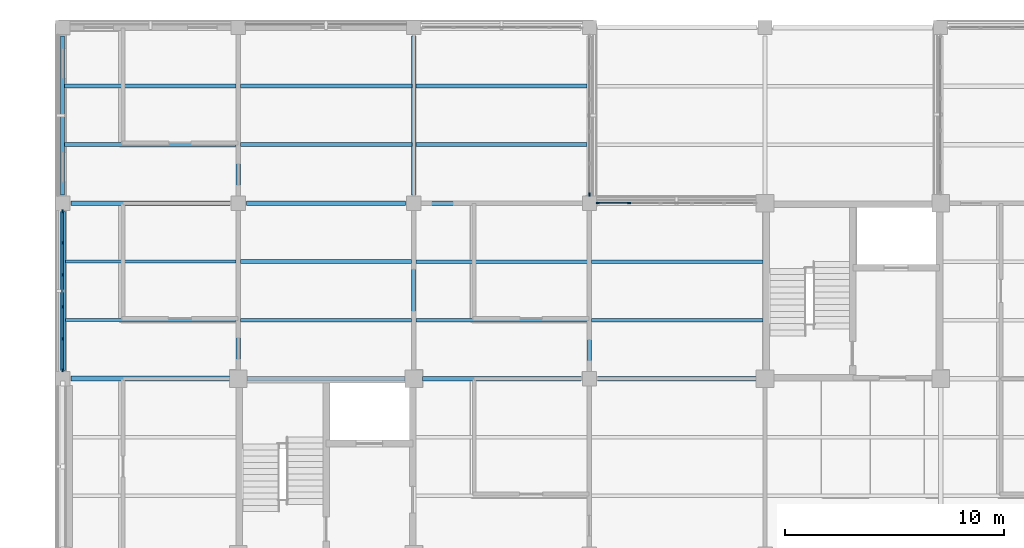
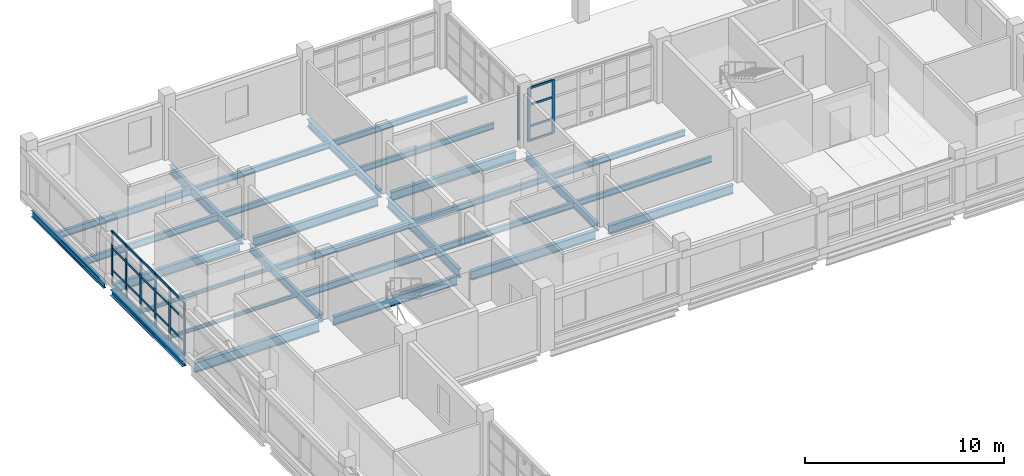
# One storey, part 35 of 126: 33 members, 28 beams, 3 elements without a shape of their own.
"""IFC4 building model written with IfcOpenShell, lengths in metres."""

from ifc_helpers import new_model, si_unit, derived_unit, direction, frame, origin, origin_2d, place, context, subcontext, project, spatial, rectangle, i_section, extrude, material, layer, layer_set, material_profile, profile_set, type_object, element, aggregate, save


model = new_model("IFC4")

# Units and contexts
model_context = context("Model", 3, precision=1e-05, world=origin(), true_north=direction((0.0, 1.0)))
body_context = subcontext(model_context, "Body", "Model", "MODEL_VIEW")
ifc_project = project(units=[si_unit("LENGTHUNIT", "METRE"), si_unit("AREAUNIT", "SQUARE_METRE"), si_unit("VOLUMEUNIT", "CUBIC_METRE"), si_unit("PLANEANGLEUNIT", "RADIAN"), si_unit("MASSUNIT", "GRAM", prefix="KILO"), derived_unit("THERMALTRANSMITTANCEUNIT", [(si_unit("MASSUNIT", "GRAM", prefix="KILO"), 1), (si_unit("TIMEUNIT", "SECOND"), -3), (si_unit("THERMODYNAMICTEMPERATUREUNIT", "KELVIN"), -1)])], contexts=[model_context])

# Site, building, storey
site_placement = place(None, origin())
site = spatial("IfcSite", under=ifc_project, at=site_placement, CompositionType="ELEMENT")
building_placement = place(site_placement, origin())
building = spatial("IfcBuilding", under=site, at=building_placement, Name="Veyamyaing Civic Hall", CompositionType="ELEMENT")
storey_placement = place(building_placement, frame((0.0, 0.0, 9.89990234375)))
storey = spatial("IfcBuildingStorey", under=building, at=storey_placement, Name="L02", CompositionType="ELEMENT", Elevation=9.89990234375)

# Beams
ifc_material_1 = material(Name="Steel ASTM A992", Category="steel")
ifc_material_profile_1 = material_profile(ifc_material_1, i_section(OverallWidth=0.22802734375, OverallDepth=0.60791015625, WebThickness=0.01123046875, FlangeThickness=0.017333984375, FilletRadius=0.012939453125, at=origin_2d()), Name="W610X113")
ifc_profile_set_1 = profile_set([ifc_material_profile_1], Name="Steel ASTM A992")
beam_type_1 = type_object("IfcBeamType", Name="B-06", PredefinedType="BEAM", material=ifc_profile_set_1)
beam_1_placement = place(storey_placement, frame((0.375, 96.0, -0.5888671875), z_axis=(1.0, 0.0, 0.0), x_axis=(0.0, 1.0, 0.0)))
element("IfcBeam", 1, at=beam_1_placement, inside=storey, type_object=beam_type_1, Name="Girder B-06 L02 Grid N 1-2", PredefinedType="BEAM", context=body_context, shape_type="SweptSolid", body=[
    extrude(i_section(OverallWidth=0.22802734375, OverallDepth=0.60791015625, WebThickness=0.01123046875, FlangeThickness=0.017333984375, FilletRadius=0.012939453125, at=origin_2d()), origin(), (0.0, 0.0, 1.0), 7.22509765625),
])
ifc_material_profile_2 = material_profile(ifc_material_1, i_section(OverallWidth=0.208984375, OverallDepth=0.532958984375, WebThickness=0.01025390625, FlangeThickness=0.015625, FilletRadius=0.011962890625, at=origin_2d()), Name="W530X92")
ifc_profile_set_2 = profile_set([ifc_material_profile_2], Name="Steel ASTM A992")
beam_type_2 = type_object("IfcBeamType", Name="B-07", PredefinedType="BEAM", material=ifc_profile_set_2)
beam_2_placement = place(storey_placement, frame((8.39990234375, 96.0, -0.551513671875), z_axis=(1.0, 0.0, 0.0), x_axis=(0.0, 1.0, 0.0)))
element("IfcBeam", 2, at=beam_2_placement, inside=storey, type_object=beam_type_2, Name="Girder B-07 L02 Grid N 2-3", PredefinedType="BEAM", context=body_context, shape_type="SweptSolid", body=[
    extrude(i_section(OverallWidth=0.208984375, OverallDepth=0.532958984375, WebThickness=0.01025390625, FlangeThickness=0.015625, FilletRadius=0.011962890625, at=origin_2d()), origin(), (0.0, 0.0, 1.0), 7.2001953125),
])
beam_3_placement = place(storey_placement, frame((0.375, 104.0, -0.551513671875), z_axis=(1.0, 0.0, 0.0), x_axis=(0.0, 1.0, 0.0)))
element("IfcBeam", 3, at=beam_3_placement, inside=storey, type_object=beam_type_2, Name="Girder B-07 L02 Grid P 1-2", PredefinedType="BEAM", context=body_context, shape_type="SweptSolid", body=[
    extrude(i_section(OverallWidth=0.208984375, OverallDepth=0.532958984375, WebThickness=0.01025390625, FlangeThickness=0.015625, FilletRadius=0.011962890625, at=origin_2d()), origin(), (0.0, 0.0, 1.0), 7.25),
])
ifc_material_profile_3 = material_profile(ifc_material_1, i_section(OverallWidth=0.19189453125, OverallDepth=0.462890625, WebThickness=0.010498046875, FlangeThickness=0.017578125, FilletRadius=0.010009765625, at=origin_2d()), Name="W460X89")
ifc_profile_set_3 = profile_set([ifc_material_profile_3], Name="Steel ASTM A992")
beam_type_3 = type_object("IfcBeamType", Name="B-08", PredefinedType="BEAM", material=ifc_profile_set_3)
beam_4_placement = place(storey_placement, frame((8.0, 96.39990234375, -0.516357421875), z_axis=(0.0, 1.0, 0.0), x_axis=(-1.0, 0.0, 0.0)))
element("IfcBeam", 4, at=beam_4_placement, inside=storey, type_object=beam_type_3, Name="Girder B-08 L02 Grid 2 N-P", PredefinedType="BEAM", context=body_context, shape_type="SweptSolid", body=[
    extrude(i_section(OverallWidth=0.19189453125, OverallDepth=0.462890625, WebThickness=0.010498046875, FlangeThickness=0.017578125, FilletRadius=0.010009765625, at=origin_2d()), origin(), (0.0, 0.0, 1.0), 7.22509765625),
])
ifc_material_profile_4 = material_profile(ifc_material_1, i_section(OverallWidth=0.179931640625, OverallDepth=0.4130859375, WebThickness=0.009765625, FlangeThickness=0.01611328125, FilletRadius=0.010009765625, at=origin_2d()), Name="W410X74")
ifc_profile_set_4 = profile_set([ifc_material_profile_4], Name="Steel ASTM A992")
beam_type_4 = type_object("IfcBeamType", Name="B-10", PredefinedType="SPANDREL", material=ifc_profile_set_4)
beam_5_placement = place(storey_placement, frame((0.0, 104.375, -0.491455078125), z_axis=(0.0, 1.0, 0.0), x_axis=(-1.0, 0.0, 0.0)))
element("IfcBeam", 5, at=beam_5_placement, inside=storey, type_object=beam_type_4, Name="Girder B-10 L02 Grid 1 P-Q", PredefinedType="SPANDREL", context=body_context, shape_type="SweptSolid", body=[
    extrude(i_section(OverallWidth=0.179931640625, OverallDepth=0.4130859375, WebThickness=0.009765625, FlangeThickness=0.01611328125, FilletRadius=0.010009765625, at=origin_2d()), origin(), (0.0, 0.0, 1.0), 7.25),
])
ifc_material_profile_5 = material_profile(ifc_material_1, i_section(OverallWidth=0.214111328125, OverallDepth=0.549072265625, WebThickness=0.0146484375, FlangeThickness=0.023681640625, FilletRadius=0.011962890625, at=origin_2d()), Name="W530X138")
ifc_profile_set_5 = profile_set([ifc_material_profile_5], Name="Steel ASTM A992")
beam_type_5 = type_object("IfcBeamType", Name="B-16", PredefinedType="BEAM", material=ifc_profile_set_5)
beam_6_placement = place(storey_placement, frame((16.39990234375, 96.0, -0.559326171875), z_axis=(1.0, 0.0, 0.0), x_axis=(0.0, 1.0, 0.0)))
element("IfcBeam", 6, at=beam_6_placement, inside=storey, type_object=beam_type_5, Name="Girder B-16 L02 Grid N 3-4", PredefinedType="BEAM", context=body_context, shape_type="SweptSolid", body=[
    extrude(i_section(OverallWidth=0.214111328125, OverallDepth=0.549072265625, WebThickness=0.0146484375, FlangeThickness=0.023681640625, FilletRadius=0.011962890625, at=origin_2d()), origin(), (0.0, 0.0, 1.0), 7.22509765625),
])
beam_7_placement = place(storey_placement, frame((8.375, 104.0, -0.559326171875), z_axis=(1.0, 0.0, 0.0), x_axis=(0.0, 1.0, 0.0)))
element("IfcBeam", 7, at=beam_7_placement, inside=storey, type_object=beam_type_5, Name="Girder B-16 L02 Grid P 2-3", PredefinedType="BEAM", context=body_context, shape_type="SweptSolid", body=[
    extrude(i_section(OverallWidth=0.214111328125, OverallDepth=0.549072265625, WebThickness=0.0146484375, FlangeThickness=0.023681640625, FilletRadius=0.011962890625, at=origin_2d()), origin(), (0.0, 0.0, 1.0), 7.25),
])
ifc_material_profile_6 = material_profile(ifc_material_1, i_section(OverallWidth=0.2109375, OverallDepth=0.5390625, WebThickness=0.01171875, FlangeThickness=0.018798828125, FilletRadius=0.011962890625, at=origin_2d()), Name="W530X109")
ifc_profile_set_6 = profile_set([ifc_material_profile_6], Name="Steel ASTM A992")
beam_type_6 = type_object("IfcBeamType", Name="B-17", PredefinedType="BEAM", material=ifc_profile_set_6)
beam_8_placement = place(storey_placement, frame((24.375, 96.0, -0.554443359375), z_axis=(1.0, 0.0, 0.0), x_axis=(0.0, 1.0, 0.0)))
element("IfcBeam", 8, at=beam_8_placement, inside=storey, type_object=beam_type_6, Name="Girder B-17 L02 Grid N 4-5", PredefinedType="BEAM", context=body_context, shape_type="SweptSolid", body=[
    extrude(i_section(OverallWidth=0.2109375, OverallDepth=0.5390625, WebThickness=0.01171875, FlangeThickness=0.018798828125, FilletRadius=0.011962890625, at=origin_2d()), origin(), (0.0, 0.0, 1.0), 7.22509765625),
])
for number, where, z_axis, x_axis, name in (
    (9, (16.375, 104.0, -0.554443359375), (1.0, 0.0, 0.0), (0.0, 1.0, 0.0), "Girder B-17 L02 Grid P 3-4"),
    (10, (8.0, 104.375, -0.554443359375), (0.0, 1.0, 0.0), (-1.0, 0.0, 0.0), "Girder B-17 L02 Grid 2 P-Q"),
):
    element("IfcBeam", number, at=place(storey_placement, frame(where, z_axis=z_axis, x_axis=x_axis)), inside=storey, type_object=beam_type_6, Name=name, PredefinedType="BEAM", context=body_context, shape_type="SweptSolid", body=[
        extrude(i_section(OverallWidth=0.2109375, OverallDepth=0.5390625, WebThickness=0.01171875, FlangeThickness=0.018798828125, FilletRadius=0.011962890625, at=origin_2d()), origin(), (0.0, 0.0, 1.0), 7.25),
    ])
beam_9_placement = place(storey_placement, frame((16.0, 96.39990234375, -0.554443359375), z_axis=(0.0, 1.0, 0.0), x_axis=(-1.0, 0.0, 0.0)))
element("IfcBeam", 11, at=beam_9_placement, inside=storey, type_object=beam_type_6, Name="Girder B-17 L02 Grid 3 N-P", PredefinedType="BEAM", context=body_context, shape_type="SweptSolid", body=[
    extrude(i_section(OverallWidth=0.2109375, OverallDepth=0.5390625, WebThickness=0.01171875, FlangeThickness=0.018798828125, FilletRadius=0.011962890625, at=origin_2d()), origin(), (0.0, 0.0, 1.0), 7.22509765625),
])
ifc_material_profile_7 = material_profile(ifc_material_1, i_section(OverallWidth=0.194091796875, OverallDepth=0.468994140625, WebThickness=0.0126953125, FlangeThickness=0.0205078125, FilletRadius=0.010009765625, at=origin_2d()), Name="W460X106")
ifc_profile_set_7 = profile_set([ifc_material_profile_7], Name="Steel ASTM A992")
beam_type_7 = type_object("IfcBeamType", Name="B-18", PredefinedType="BEAM", material=ifc_profile_set_7)
for number, where, z_axis, x_axis, name in (
    (12, (16.0, 104.375, -0.519287109375), (0.0, 1.0, 0.0), (-1.0, 0.0, 0.0), "Girder B-18 L02 Grid 3 P-Q"),
    (13, (24.0, 96.375, -0.519287109375), (0.0, 1.0, 0.0), (-1.0, 0.0, 0.0), "Girder B-18 L02 Grid 4 N-P"),
):
    element("IfcBeam", number, at=place(storey_placement, frame(where, z_axis=z_axis, x_axis=x_axis)), inside=storey, type_object=beam_type_7, Name=name, PredefinedType="BEAM", context=body_context, shape_type="SweptSolid", body=[
        extrude(i_section(OverallWidth=0.194091796875, OverallDepth=0.468994140625, WebThickness=0.0126953125, FlangeThickness=0.0205078125, FilletRadius=0.010009765625, at=origin_2d()), origin(), (0.0, 0.0, 1.0), 7.25),
    ])
ifc_material_profile_8 = material_profile(ifc_material_1, i_section(OverallWidth=0.25390625, OverallDepth=0.35302734375, WebThickness=0.009521484375, FlangeThickness=0.016357421875, FilletRadius=0.011962890625, at=origin_2d()), Name="W360X91")
ifc_profile_set_8 = profile_set([ifc_material_profile_8], Name="Steel ASTM A992")
beam_type_8 = type_object("IfcBeamType", Name="B-20", PredefinedType="SPANDREL", material=ifc_profile_set_8)
beam_10_placement = place(storey_placement, frame((0.0, 96.375, -0.46142578125), z_axis=(0.0, 1.0, 0.0), x_axis=(-1.0, 0.0, 0.0)))
element("IfcBeam", 14, at=beam_10_placement, inside=storey, type_object=beam_type_8, Name="Girder B-20 L02 Grid 1 N-P", PredefinedType="SPANDREL", context=body_context, shape_type="SweptSolid", body=[
    extrude(i_section(OverallWidth=0.25390625, OverallDepth=0.35302734375, WebThickness=0.009521484375, FlangeThickness=0.016357421875, FilletRadius=0.011962890625, at=origin_2d()), origin(), (0.0, 0.0, 1.0), 7.25),
])

# Curtain wall, members
ifc_material_2 = material(Name="Anodised aluminium 6063-T6", Category="aluminium")
ifc_layer = layer(ifc_material_2, 0.159912109375, Name="Anodised aluminium 6063-T6")
ifc_layer_set = layer_set([ifc_layer], Name="Anodised aluminium 6063-T6")
curtain_wall_type = type_object("IfcCurtainWallType", Name="CW-03", PredefinedType="NOTDEFINED", material=ifc_layer_set)
curtain_wall_1_placement = place(storey_placement, origin())
curtain_wall_1 = element("IfcCurtainWall", 15, at=curtain_wall_1_placement, inside=storey, type_object=curtain_wall_type, Name="Unitized curtain wall CW-03 L02 W 1.13", PredefinedType="NOTDEFINED")
ifc_material_profile_9 = material_profile(ifc_material_2, rectangle(XDim=0.06494140625, YDim=0.159912109375, at=origin_2d()), Name="ALU-MUL-65X160")
ifc_profile_set_9 = profile_set([ifc_material_profile_9], Name="Anodised aluminium 6063-T6")
member_type_1 = type_object("IfcMemberType", Name="CWM-01", PredefinedType="MULLION", material=ifc_profile_set_9)
member_1_placement = place(storey_placement, frame((0.0, 96.387451171875, 0.0), z_axis=(0.0, 0.0, 1.0), x_axis=(-1.0, 0.0, 0.0)))
member_1 = element("IfcMember", 16, at=member_1_placement, type_object=member_type_1, Name="CW-03 mullion 1", PredefinedType="MULLION", context=body_context, shape_type="SweptSolid", body=[
    extrude(rectangle(XDim=0.06494140625, YDim=0.159912109375, at=origin_2d()), origin(), (0.0, 0.0, 1.0), 3.2841796875),
])
member_2_placement = place(storey_placement, frame((0.0, 97.81298828125, 0.0), z_axis=(0.0, 0.0, 1.0), x_axis=(-1.0, 0.0, 0.0)))
member_2 = element("IfcMember", 17, at=member_2_placement, type_object=member_type_1, Name="CW-03 mullion 2", PredefinedType="MULLION", context=body_context, shape_type="SweptSolid", body=[
    extrude(rectangle(XDim=0.06494140625, YDim=0.159912109375, at=origin_2d()), origin(), (0.0, 0.0, 1.0), 3.2841796875),
])
member_3_placement = place(storey_placement, frame((0.0, 99.27099609375, 0.0), z_axis=(0.0, 0.0, 1.0), x_axis=(-1.0, 0.0, 0.0)))
member_3 = element("IfcMember", 18, at=member_3_placement, type_object=member_type_1, Name="CW-03 mullion 3", PredefinedType="MULLION", context=body_context, shape_type="SweptSolid", body=[
    extrude(rectangle(XDim=0.06494140625, YDim=0.159912109375, at=origin_2d()), origin(), (0.0, 0.0, 1.0), 3.2841796875),
])
member_4_placement = place(storey_placement, frame((0.0, 100.72900390625, 0.0), z_axis=(0.0, 0.0, 1.0), x_axis=(-1.0, 0.0, 0.0)))
member_4 = element("IfcMember", 19, at=member_4_placement, type_object=member_type_1, Name="CW-03 mullion 4", PredefinedType="MULLION", context=body_context, shape_type="SweptSolid", body=[
    extrude(rectangle(XDim=0.06494140625, YDim=0.159912109375, at=origin_2d()), origin(), (0.0, 0.0, 1.0), 3.2841796875),
])
member_5_placement = place(storey_placement, frame((0.0, 102.18701171875, 0.0), z_axis=(0.0, 0.0, 1.0), x_axis=(-1.0, 0.0, 0.0)))
member_5 = element("IfcMember", 20, at=member_5_placement, type_object=member_type_1, Name="CW-03 mullion 5", PredefinedType="MULLION", context=body_context, shape_type="SweptSolid", body=[
    extrude(rectangle(XDim=0.06494140625, YDim=0.159912109375, at=origin_2d()), origin(), (0.0, 0.0, 1.0), 3.2841796875),
])
member_6_placement = place(storey_placement, frame((0.0, 103.612548828125, 0.0), z_axis=(0.0, 0.0, 1.0), x_axis=(-1.0, 0.0, 0.0)))
member_6 = element("IfcMember", 21, at=member_6_placement, type_object=member_type_1, Name="CW-03 mullion 6", PredefinedType="MULLION", context=body_context, shape_type="SweptSolid", body=[
    extrude(rectangle(XDim=0.06494140625, YDim=0.159912109375, at=origin_2d()), origin(), (0.0, 0.0, 1.0), 3.2841796875),
])

# Curtain wall, member
curtain_wall_2_placement = place(storey_placement, origin())
curtain_wall_2 = element("IfcCurtainWall", 22, at=curtain_wall_2_placement, inside=storey, type_object=curtain_wall_type, Name="Unitized curtain wall CW-03 L02 E 3.14", PredefinedType="NOTDEFINED")
member_7_placement = place(storey_placement, frame((24.0, 104.387451171875, 0.0), z_axis=(0.0, 0.0, 1.0), x_axis=(-1.0, 0.0, 0.0)))
member_7 = element("IfcMember", 23, at=member_7_placement, type_object=member_type_1, Name="CW-03 mullion 1", PredefinedType="MULLION", context=body_context, shape_type="SweptSolid", body=[
    extrude(rectangle(XDim=0.06494140625, YDim=0.159912109375, at=origin_2d()), origin(), (0.0, 0.0, 1.0), 3.2841796875),
])
aggregate(curtain_wall_2, [member_7])

# Curtain wall, members
curtain_wall_3_placement = place(storey_placement, origin())
curtain_wall_3 = element("IfcCurtainWall", 24, at=curtain_wall_3_placement, inside=storey, type_object=curtain_wall_type, Name="Unitized curtain wall CW-03 L02 N 4.13", PredefinedType="NOTDEFINED")
member_8_placement = place(storey_placement, frame((24.387451171875, 104.0, 0.0), z_axis=(0.0, 0.0, 1.0), x_axis=(0.0, 1.0, 0.0)))
member_8 = element("IfcMember", 25, at=member_8_placement, type_object=member_type_1, Name="CW-03 mullion 1", PredefinedType="MULLION", context=body_context, shape_type="SweptSolid", body=[
    extrude(rectangle(XDim=0.06494140625, YDim=0.159912109375, at=origin_2d()), origin(), (0.0, 0.0, 1.0), 3.2841796875),
])
member_9_placement = place(storey_placement, frame((25.798095703125, 104.0, 0.0), z_axis=(0.0, 0.0, 1.0), x_axis=(0.0, 1.0, 0.0)))
member_9 = element("IfcMember", 26, at=member_9_placement, type_object=member_type_1, Name="CW-03 mullion 2", PredefinedType="MULLION", context=body_context, shape_type="SweptSolid", body=[
    extrude(rectangle(XDim=0.06494140625, YDim=0.159912109375, at=origin_2d()), origin(), (0.0, 0.0, 1.0), 3.2841796875),
])

# Member
ifc_material_profile_10 = material_profile(ifc_material_2, rectangle(XDim=0.06494140625, YDim=0.1201171875, at=origin_2d()), Name="ALU-TRN-65X120")
ifc_profile_set_10 = profile_set([ifc_material_profile_10], Name="Anodised aluminium 6063-T6")
member_type_2 = type_object("IfcMemberType", Name="CWT-01", PredefinedType="USERDEFINED", material=ifc_profile_set_10)
member_10_placement = place(storey_placement, frame((0.0, 96.419921875, 0.03271484375), z_axis=(0.0, 1.0, 0.0), x_axis=(-1.0, 0.0, 0.0)))
member_10 = element("IfcMember", 27, at=member_10_placement, type_object=member_type_2, Name="CW-03 transom 1.1", ObjectType="TRANSOM", PredefinedType="USERDEFINED", context=body_context, shape_type="SweptSolid", body=[
    extrude(rectangle(XDim=0.06494140625, YDim=0.1201171875, at=origin_2d()), origin(), (0.0, 0.0, 1.0), 1.360595703125),
])

member_11_placement = place(storey_placement, frame((0.0, 96.419921875, 0.900146484375), z_axis=(0.0, 1.0, 0.0), x_axis=(-1.0, 0.0, 0.0)))
member_11 = element("IfcMember", 28, at=member_11_placement, type_object=member_type_2, Name="CW-03 transom 1.2", ObjectType="TRANSOM", PredefinedType="USERDEFINED", context=body_context, shape_type="SweptSolid", body=[
    extrude(rectangle(XDim=0.06494140625, YDim=0.1201171875, at=origin_2d()), origin(), (0.0, 0.0, 1.0), 1.360595703125),
])

member_12_placement = place(storey_placement, frame((0.0, 96.419921875, 2.233154296875), z_axis=(0.0, 1.0, 0.0), x_axis=(-1.0, 0.0, 0.0)))
member_12 = element("IfcMember", 29, at=member_12_placement, type_object=member_type_2, Name="CW-03 transom 1.3", ObjectType="TRANSOM", PredefinedType="USERDEFINED", context=body_context, shape_type="SweptSolid", body=[
    extrude(rectangle(XDim=0.06494140625, YDim=0.1201171875, at=origin_2d()), origin(), (0.0, 0.0, 1.0), 1.360595703125),
])

member_13_placement = place(storey_placement, frame((0.0, 96.419921875, 3.251708984375), z_axis=(0.0, 1.0, 0.0), x_axis=(-1.0, 0.0, 0.0)))
member_13 = element("IfcMember", 30, at=member_13_placement, type_object=member_type_2, Name="CW-03 transom 1.4", ObjectType="TRANSOM", PredefinedType="USERDEFINED", context=body_context, shape_type="SweptSolid", body=[
    extrude(rectangle(XDim=0.06494140625, YDim=0.1201171875, at=origin_2d()), origin(), (0.0, 0.0, 1.0), 1.360595703125),
])

member_14_placement = place(storey_placement, frame((0.0, 97.845458984375, 0.03271484375), z_axis=(0.0, 1.0, 0.0), x_axis=(-1.0, 0.0, 0.0)))
member_14 = element("IfcMember", 31, at=member_14_placement, type_object=member_type_2, Name="CW-03 transom 2.1", ObjectType="TRANSOM", PredefinedType="USERDEFINED", context=body_context, shape_type="SweptSolid", body=[
    extrude(rectangle(XDim=0.06494140625, YDim=0.1201171875, at=origin_2d()), origin(), (0.0, 0.0, 1.0), 1.39306640625),
])

member_15_placement = place(storey_placement, frame((0.0, 97.845458984375, 0.900146484375), z_axis=(0.0, 1.0, 0.0), x_axis=(-1.0, 0.0, 0.0)))
member_15 = element("IfcMember", 32, at=member_15_placement, type_object=member_type_2, Name="CW-03 transom 2.2", ObjectType="TRANSOM", PredefinedType="USERDEFINED", context=body_context, shape_type="SweptSolid", body=[
    extrude(rectangle(XDim=0.06494140625, YDim=0.1201171875, at=origin_2d()), origin(), (0.0, 0.0, 1.0), 1.39306640625),
])

member_16_placement = place(storey_placement, frame((0.0, 97.845458984375, 2.233154296875), z_axis=(0.0, 1.0, 0.0), x_axis=(-1.0, 0.0, 0.0)))
member_16 = element("IfcMember", 33, at=member_16_placement, type_object=member_type_2, Name="CW-03 transom 2.3", ObjectType="TRANSOM", PredefinedType="USERDEFINED", context=body_context, shape_type="SweptSolid", body=[
    extrude(rectangle(XDim=0.06494140625, YDim=0.1201171875, at=origin_2d()), origin(), (0.0, 0.0, 1.0), 1.39306640625),
])

member_17_placement = place(storey_placement, frame((0.0, 97.845458984375, 3.251708984375), z_axis=(0.0, 1.0, 0.0), x_axis=(-1.0, 0.0, 0.0)))
member_17 = element("IfcMember", 34, at=member_17_placement, type_object=member_type_2, Name="CW-03 transom 2.4", ObjectType="TRANSOM", PredefinedType="USERDEFINED", context=body_context, shape_type="SweptSolid", body=[
    extrude(rectangle(XDim=0.06494140625, YDim=0.1201171875, at=origin_2d()), origin(), (0.0, 0.0, 1.0), 1.39306640625),
])

member_18_placement = place(storey_placement, frame((0.0, 99.303466796875, 0.03271484375), z_axis=(0.0, 1.0, 0.0), x_axis=(-1.0, 0.0, 0.0)))
member_18 = element("IfcMember", 35, at=member_18_placement, type_object=member_type_2, Name="CW-03 transom 3.1", ObjectType="TRANSOM", PredefinedType="USERDEFINED", context=body_context, shape_type="SweptSolid", body=[
    extrude(rectangle(XDim=0.06494140625, YDim=0.1201171875, at=origin_2d()), origin(), (0.0, 0.0, 1.0), 1.39306640625),
])

member_19_placement = place(storey_placement, frame((0.0, 99.303466796875, 0.900146484375), z_axis=(0.0, 1.0, 0.0), x_axis=(-1.0, 0.0, 0.0)))
member_19 = element("IfcMember", 36, at=member_19_placement, type_object=member_type_2, Name="CW-03 transom 3.2", ObjectType="TRANSOM", PredefinedType="USERDEFINED", context=body_context, shape_type="SweptSolid", body=[
    extrude(rectangle(XDim=0.06494140625, YDim=0.1201171875, at=origin_2d()), origin(), (0.0, 0.0, 1.0), 1.39306640625),
])

member_20_placement = place(storey_placement, frame((0.0, 99.303466796875, 2.233154296875), z_axis=(0.0, 1.0, 0.0), x_axis=(-1.0, 0.0, 0.0)))
member_20 = element("IfcMember", 37, at=member_20_placement, type_object=member_type_2, Name="CW-03 transom 3.3", ObjectType="TRANSOM", PredefinedType="USERDEFINED", context=body_context, shape_type="SweptSolid", body=[
    extrude(rectangle(XDim=0.06494140625, YDim=0.1201171875, at=origin_2d()), origin(), (0.0, 0.0, 1.0), 1.39306640625),
])

member_21_placement = place(storey_placement, frame((0.0, 99.303466796875, 3.251708984375), z_axis=(0.0, 1.0, 0.0), x_axis=(-1.0, 0.0, 0.0)))
member_21 = element("IfcMember", 38, at=member_21_placement, type_object=member_type_2, Name="CW-03 transom 3.4", ObjectType="TRANSOM", PredefinedType="USERDEFINED", context=body_context, shape_type="SweptSolid", body=[
    extrude(rectangle(XDim=0.06494140625, YDim=0.1201171875, at=origin_2d()), origin(), (0.0, 0.0, 1.0), 1.39306640625),
])

member_22_placement = place(storey_placement, frame((0.0, 100.761474609375, 0.03271484375), z_axis=(0.0, 1.0, 0.0), x_axis=(-1.0, 0.0, 0.0)))
member_22 = element("IfcMember", 39, at=member_22_placement, type_object=member_type_2, Name="CW-03 transom 4.1", ObjectType="TRANSOM", PredefinedType="USERDEFINED", context=body_context, shape_type="SweptSolid", body=[
    extrude(rectangle(XDim=0.06494140625, YDim=0.1201171875, at=origin_2d()), origin(), (0.0, 0.0, 1.0), 1.39306640625),
])

member_23_placement = place(storey_placement, frame((0.0, 100.761474609375, 0.900146484375), z_axis=(0.0, 1.0, 0.0), x_axis=(-1.0, 0.0, 0.0)))
member_23 = element("IfcMember", 40, at=member_23_placement, type_object=member_type_2, Name="CW-03 transom 4.2", ObjectType="TRANSOM", PredefinedType="USERDEFINED", context=body_context, shape_type="SweptSolid", body=[
    extrude(rectangle(XDim=0.06494140625, YDim=0.1201171875, at=origin_2d()), origin(), (0.0, 0.0, 1.0), 1.39306640625),
])

member_24_placement = place(storey_placement, frame((0.0, 100.761474609375, 2.233154296875), z_axis=(0.0, 1.0, 0.0), x_axis=(-1.0, 0.0, 0.0)))
member_24 = element("IfcMember", 41, at=member_24_placement, type_object=member_type_2, Name="CW-03 transom 4.3", ObjectType="TRANSOM", PredefinedType="USERDEFINED", context=body_context, shape_type="SweptSolid", body=[
    extrude(rectangle(XDim=0.06494140625, YDim=0.1201171875, at=origin_2d()), origin(), (0.0, 0.0, 1.0), 1.39306640625),
])

member_25_placement = place(storey_placement, frame((0.0, 100.761474609375, 3.251708984375), z_axis=(0.0, 1.0, 0.0), x_axis=(-1.0, 0.0, 0.0)))
member_25 = element("IfcMember", 42, at=member_25_placement, type_object=member_type_2, Name="CW-03 transom 4.4", ObjectType="TRANSOM", PredefinedType="USERDEFINED", context=body_context, shape_type="SweptSolid", body=[
    extrude(rectangle(XDim=0.06494140625, YDim=0.1201171875, at=origin_2d()), origin(), (0.0, 0.0, 1.0), 1.39306640625),
])

member_26_placement = place(storey_placement, frame((0.0, 102.219482421875, 0.03271484375), z_axis=(0.0, 1.0, 0.0), x_axis=(-1.0, 0.0, 0.0)))
member_26 = element("IfcMember", 43, at=member_26_placement, type_object=member_type_2, Name="CW-03 transom 5.1", ObjectType="TRANSOM", PredefinedType="USERDEFINED", context=body_context, shape_type="SweptSolid", body=[
    extrude(rectangle(XDim=0.06494140625, YDim=0.1201171875, at=origin_2d()), origin(), (0.0, 0.0, 1.0), 1.360595703125),
])

member_27_placement = place(storey_placement, frame((0.0, 102.219482421875, 0.900146484375), z_axis=(0.0, 1.0, 0.0), x_axis=(-1.0, 0.0, 0.0)))
member_27 = element("IfcMember", 44, at=member_27_placement, type_object=member_type_2, Name="CW-03 transom 5.2", ObjectType="TRANSOM", PredefinedType="USERDEFINED", context=body_context, shape_type="SweptSolid", body=[
    extrude(rectangle(XDim=0.06494140625, YDim=0.1201171875, at=origin_2d()), origin(), (0.0, 0.0, 1.0), 1.360595703125),
])

member_28_placement = place(storey_placement, frame((0.0, 102.219482421875, 2.233154296875), z_axis=(0.0, 1.0, 0.0), x_axis=(-1.0, 0.0, 0.0)))
member_28 = element("IfcMember", 45, at=member_28_placement, type_object=member_type_2, Name="CW-03 transom 5.3", ObjectType="TRANSOM", PredefinedType="USERDEFINED", context=body_context, shape_type="SweptSolid", body=[
    extrude(rectangle(XDim=0.06494140625, YDim=0.1201171875, at=origin_2d()), origin(), (0.0, 0.0, 1.0), 1.360595703125),
])

member_29_placement = place(storey_placement, frame((0.0, 102.219482421875, 3.251708984375), z_axis=(0.0, 1.0, 0.0), x_axis=(-1.0, 0.0, 0.0)))
member_29 = element("IfcMember", 46, at=member_29_placement, type_object=member_type_2, Name="CW-03 transom 5.4", ObjectType="TRANSOM", PredefinedType="USERDEFINED", context=body_context, shape_type="SweptSolid", body=[
    extrude(rectangle(XDim=0.06494140625, YDim=0.1201171875, at=origin_2d()), origin(), (0.0, 0.0, 1.0), 1.360595703125),
])

aggregate(curtain_wall_1, [member_1, member_2, member_3, member_4, member_5, member_6, member_10, member_11, member_12, member_13, member_14, member_15, member_16, member_17, member_18, member_19, member_20, member_21, member_22, member_23, member_24, member_25, member_26, member_27, member_28, member_29])

member_30_placement = place(storey_placement, frame((24.419921875, 104.0, 0.03271484375), z_axis=(1.0, 0.0, 0.0), x_axis=(0.0, 1.0, 0.0)))
member_30 = element("IfcMember", 47, at=member_30_placement, type_object=member_type_2, Name="CW-03 transom 1.1", ObjectType="TRANSOM", PredefinedType="USERDEFINED", context=body_context, shape_type="SweptSolid", body=[
    extrude(rectangle(XDim=0.06494140625, YDim=0.1201171875, at=origin_2d()), origin(), (0.0, 0.0, 1.0), 1.345458984375),
])

member_31_placement = place(storey_placement, frame((24.419921875, 104.0, 0.900146484375), z_axis=(1.0, 0.0, 0.0), x_axis=(0.0, 1.0, 0.0)))
member_31 = element("IfcMember", 48, at=member_31_placement, type_object=member_type_2, Name="CW-03 transom 1.2", ObjectType="TRANSOM", PredefinedType="USERDEFINED", context=body_context, shape_type="SweptSolid", body=[
    extrude(rectangle(XDim=0.06494140625, YDim=0.1201171875, at=origin_2d()), origin(), (0.0, 0.0, 1.0), 1.345458984375),
])

member_32_placement = place(storey_placement, frame((24.419921875, 104.0, 2.233154296875), z_axis=(1.0, 0.0, 0.0), x_axis=(0.0, 1.0, 0.0)))
member_32 = element("IfcMember", 49, at=member_32_placement, type_object=member_type_2, Name="CW-03 transom 1.3", ObjectType="TRANSOM", PredefinedType="USERDEFINED", context=body_context, shape_type="SweptSolid", body=[
    extrude(rectangle(XDim=0.06494140625, YDim=0.1201171875, at=origin_2d()), origin(), (0.0, 0.0, 1.0), 1.345458984375),
])

member_33_placement = place(storey_placement, frame((24.419921875, 104.0, 3.251708984375), z_axis=(1.0, 0.0, 0.0), x_axis=(0.0, 1.0, 0.0)))
member_33 = element("IfcMember", 50, at=member_33_placement, type_object=member_type_2, Name="CW-03 transom 1.4", ObjectType="TRANSOM", PredefinedType="USERDEFINED", context=body_context, shape_type="SweptSolid", body=[
    extrude(rectangle(XDim=0.06494140625, YDim=0.1201171875, at=origin_2d()), origin(), (0.0, 0.0, 1.0), 1.345458984375),
])

aggregate(curtain_wall_3, [member_8, member_9, member_30, member_31, member_32, member_33])

# Beams
ifc_material_profile_11 = material_profile(ifc_material_1, i_section(OverallWidth=0.177978515625, OverallDepth=0.406982421875, WebThickness=0.0078125, FlangeThickness=0.0126953125, FilletRadius=0.010009765625, at=origin_2d()), Name="W410X60")
ifc_profile_set_11 = profile_set([ifc_material_profile_11], Name="Steel ASTM A992")
beam_type_9 = type_object("IfcBeamType", Name="J-01", PredefinedType="JOIST", material=ifc_profile_set_11)
for number, where, z_axis, x_axis, name in (
    (51, (0.087890625, 106.666748046875, -0.48828125), (1.0, 0.0, 0.0), (0.0, 1.0, 0.0), "Composite floor joist J-01 L02 1.14.1"),
    (52, (0.087890625, 109.333251953125, -0.48828125), (1.0, 0.0, 0.0), (0.0, 1.0, 0.0), "Composite floor joist J-01 L02 1.14.2"),
):
    element("IfcBeam", number, at=place(storey_placement, frame(where, z_axis=z_axis, x_axis=x_axis)), inside=storey, type_object=beam_type_9, Name=name, PredefinedType="JOIST", context=body_context, shape_type="SweptSolid", body=[
        extrude(i_section(OverallWidth=0.177978515625, OverallDepth=0.406982421875, WebThickness=0.0078125, FlangeThickness=0.0126953125, FilletRadius=0.010009765625, at=origin_2d()), origin(), (0.0, 0.0, 1.0), 7.80859375),
    ])
for number, where, z_axis, x_axis, name in (
    (53, (8.093994140625, 98.666748046875, -0.48828125), (1.0, 0.0, 0.0), (0.0, 1.0, 0.0), "Composite floor joist J-01 L02 2.13.1"),
    (54, (8.093994140625, 101.333251953125, -0.48828125), (1.0, 0.0, 0.0), (0.0, 1.0, 0.0), "Composite floor joist J-01 L02 2.13.2"),
):
    element("IfcBeam", number, at=place(storey_placement, frame(where, z_axis=z_axis, x_axis=x_axis)), inside=storey, type_object=beam_type_9, Name=name, PredefinedType="JOIST", context=body_context, shape_type="SweptSolid", body=[
        extrude(i_section(OverallWidth=0.177978515625, OverallDepth=0.406982421875, WebThickness=0.0078125, FlangeThickness=0.0126953125, FilletRadius=0.010009765625, at=origin_2d()), origin(), (0.0, 0.0, 1.0), 7.802490234375),
    ])
ifc_material_profile_12 = material_profile(ifc_material_1, i_section(OverallWidth=0.172119140625, OverallDepth=0.35791015625, WebThickness=0.0078125, FlangeThickness=0.01318359375, FilletRadius=0.010009765625, at=origin_2d()), Name="W360X57")
ifc_profile_set_12 = profile_set([ifc_material_profile_12], Name="Steel ASTM A992")
beam_type_10 = type_object("IfcBeamType", Name="J-02", PredefinedType="JOIST", material=ifc_profile_set_12)
for number, where, z_axis, x_axis, name in (
    (55, (8.103515625, 106.666748046875, -0.4638671875), (1.0, 0.0, 0.0), (0.0, 1.0, 0.0), "Composite floor joist J-02 L02 2.14.1"),
    (56, (8.103515625, 109.333251953125, -0.4638671875), (1.0, 0.0, 0.0), (0.0, 1.0, 0.0), "Composite floor joist J-02 L02 2.14.2"),
    (57, (16.103515625, 98.666748046875, -0.4638671875), (1.0, 0.0, 0.0), (0.0, 1.0, 0.0), "Composite floor joist J-02 L02 3.13.1"),
    (58, (16.103515625, 101.333251953125, -0.4638671875), (1.0, 0.0, 0.0), (0.0, 1.0, 0.0), "Composite floor joist J-02 L02 3.13.2"),
):
    element("IfcBeam", number, at=place(storey_placement, frame(where, z_axis=z_axis, x_axis=x_axis)), inside=storey, type_object=beam_type_10, Name=name, PredefinedType="JOIST", context=body_context, shape_type="SweptSolid", body=[
        extrude(i_section(OverallWidth=0.172119140625, OverallDepth=0.35791015625, WebThickness=0.0078125, FlangeThickness=0.01318359375, FilletRadius=0.010009765625, at=origin_2d()), origin(), (0.0, 0.0, 1.0), 7.801513671875),
    ])
ifc_material_profile_13 = material_profile(ifc_material_1, i_section(OverallWidth=0.1708984375, OverallDepth=0.35205078125, WebThickness=0.0068359375, FlangeThickness=0.009765625, FilletRadius=0.010009765625, at=origin_2d()), Name="W360X44")
ifc_profile_set_13 = profile_set([ifc_material_profile_13], Name="Steel ASTM A992")
beam_type_11 = type_object("IfcBeamType", Name="J-03", PredefinedType="JOIST", material=ifc_profile_set_13)
for number, where, z_axis, x_axis, name in (
    (59, (16.094970703125, 106.666748046875, -0.4609375), (1.0, 0.0, 0.0), (0.0, 1.0, 0.0), "Composite floor joist J-03 L02 3.14.1"),
    (60, (16.094970703125, 109.333251953125, -0.4609375), (1.0, 0.0, 0.0), (0.0, 1.0, 0.0), "Composite floor joist J-03 L02 3.14.2"),
    (61, (24.094970703125, 98.666748046875, -0.4609375), (1.0, 0.0, 0.0), (0.0, 1.0, 0.0), "Composite floor joist J-03 L02 4.13.1"),
    (62, (24.094970703125, 101.333251953125, -0.4609375), (1.0, 0.0, 0.0), (0.0, 1.0, 0.0), "Composite floor joist J-03 L02 4.13.2"),
):
    element("IfcBeam", number, at=place(storey_placement, frame(where, z_axis=z_axis, x_axis=x_axis)), inside=storey, type_object=beam_type_11, Name=name, PredefinedType="JOIST", context=body_context, shape_type="SweptSolid", body=[
        extrude(i_section(OverallWidth=0.1708984375, OverallDepth=0.35205078125, WebThickness=0.0068359375, FlangeThickness=0.009765625, FilletRadius=0.010009765625, at=origin_2d()), origin(), (0.0, 0.0, 1.0), 7.802490234375),
    ])
ifc_material_profile_14 = material_profile(ifc_material_1, i_section(OverallWidth=0.133056640625, OverallDepth=0.20703125, WebThickness=0.005859375, FlangeThickness=0.00830078125, FilletRadius=0.010009765625, at=origin_2d()), Name="W200X27")
ifc_profile_set_14 = profile_set([ifc_material_profile_14], Name="Steel ASTM A992")
beam_type_12 = type_object("IfcBeamType", Name="J-08", PredefinedType="JOIST", material=ifc_profile_set_14)
for number, where, z_axis, x_axis, name in (
    (63, (0.125, 98.666748046875, -0.388427734375), (1.0, 0.0, 0.0), (0.0, 1.0, 0.0), "Composite floor joist J-08 L02 1.13.1"),
    (64, (0.125, 101.333251953125, -0.388427734375), (1.0, 0.0, 0.0), (0.0, 1.0, 0.0), "Composite floor joist J-08 L02 1.13.2"),
):
    element("IfcBeam", number, at=place(storey_placement, frame(where, z_axis=z_axis, x_axis=x_axis)), inside=storey, type_object=beam_type_12, Name=name, PredefinedType="JOIST", context=body_context, shape_type="SweptSolid", body=[
        extrude(i_section(OverallWidth=0.133056640625, OverallDepth=0.20703125, WebThickness=0.005859375, FlangeThickness=0.00830078125, FilletRadius=0.010009765625, at=origin_2d()), origin(), (0.0, 0.0, 1.0), 7.781005859375),
    ])

save(model, "model.ifc")
